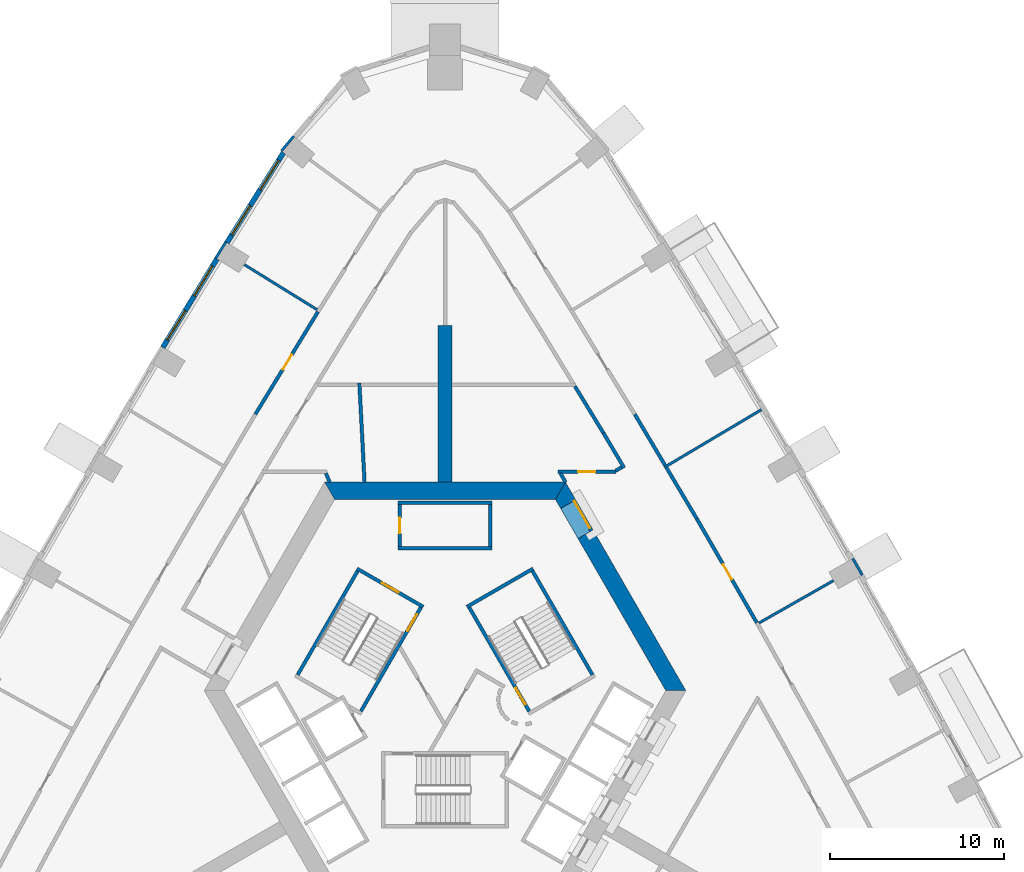
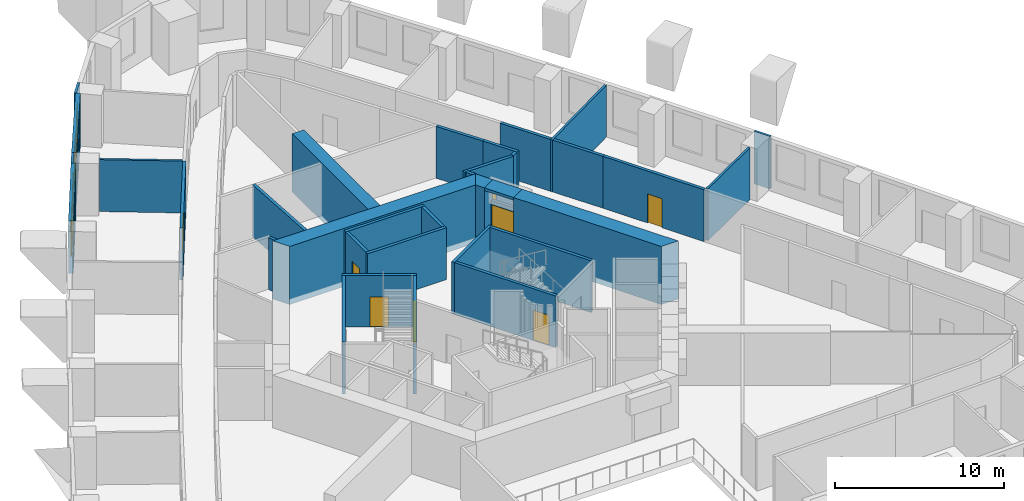
# One storey, part 8 of 14: 35 walls, 8 doors, 4 windows, 12 openings.
"""IFC4 building model written with IfcOpenShell, lengths in metres."""

from ifc_helpers import new_model, si_unit, direction, frame, frame_2d, origin, place, context, subcontext, project, spatial, polyline, rectangle, outline, extrude, material, layer, layer_set, type_object, element, fill, save


model = new_model("IFC4")

# Units and contexts
model_context = context("Model", 3, precision=1e-05, world=origin(), true_north=direction((0.0, 1.0)))
body_context = subcontext(model_context, "Body", "Model", "MODEL_VIEW")
ifc_project = project(units=[si_unit("LENGTHUNIT", "METRE"), si_unit("AREAUNIT", "SQUARE_METRE"), si_unit("VOLUMEUNIT", "CUBIC_METRE"), si_unit("PLANEANGLEUNIT", "RADIAN"), si_unit("MASSUNIT", "GRAM", prefix="KILO")], contexts=[model_context])

# Site, building, storey
site_placement = place(None, origin())
site = spatial("IfcSite", under=ifc_project, at=site_placement, CompositionType="ELEMENT")
building_placement = place(site_placement, origin())
building = spatial("IfcBuilding", under=site, at=building_placement, Name="Entoto Arch Interchange Tower", CompositionType="ELEMENT")
storey_placement = place(building_placement, frame((0.0, 0.0, 176.0)))
storey = spatial("IfcBuildingStorey", under=building, at=storey_placement, Name="L39", CompositionType="ELEMENT", Elevation=176.0)

# Wall
ifc_material_1 = material(Name="Concrete C50/60", Category="concrete")
ifc_layer_1 = layer(ifc_material_1, 0.800048828125)
ifc_layer_set_1 = layer_set([ifc_layer_1], Name="Concrete C50/60")
wall_type_1 = type_object("IfcWallType", Name="Buttress wall 800 C50/60", PredefinedType="SHEAR", material=ifc_layer_set_1)
wall_1_placement = place(storey_placement, frame((0.0, 14.5, -0.39990234375), z_axis=(0.0, 0.0, 1.0), x_axis=(0.0, 1.0, 0.0)))
element("IfcWall", 1, at=wall_1_placement, inside=storey, type_object=wall_type_1, Name="Buttress wall N L39", PredefinedType="SHEAR", context=body_context, shape_type="SweptSolid", body=[
    extrude(rectangle(XDim=9.0, YDim=0.800048828125, at=frame_2d((4.5, 0.0))), origin(), (0.0, 0.0, 1.0), 4.199951171875),
])

# Wall, opening, door
ifc_material_2 = material(Name="Reinforced concrete C40/50", Category="concrete")
ifc_layer_2 = layer(ifc_material_2, 0.199951171875)
ifc_layer_set_2 = layer_set([ifc_layer_2], Name="Reinforced concrete C40/50")
wall_type_2 = type_object("IfcWallType", Name="CORE GAP INFILL WALL", PredefinedType="PARTITIONING", material=ifc_layer_set_2)
wall_2_placement = place(storey_placement, frame((8.429931640625, 11.697998046875, 0.0), z_axis=(0.0, 0.0, 1.0), x_axis=(-0.50002537861, 0.866010750942, 0.0)))
wall_2 = element("IfcWall", 2, at=wall_2_placement, inside=storey, type_object=wall_type_2, Name="wall:L39:gap2", PredefinedType="PARTITIONING", context=body_context, shape_type="SweptSolid", body=[
    extrude(rectangle(XDim=2.0, YDim=0.199951171875, at=frame_2d((1.0, 0.0))), origin(), (0.0, 0.0, 1.0), 2.39990234375),
])
opening_1_placement = place(wall_2_placement, frame((0.18994140625, 0.0, 0.0)))
opening_1 = element("IfcOpeningElement", 3, at=opening_1_placement, cuts=wall_2, Name="Opening L39-D92", PredefinedType="OPENING", context=body_context, shape_type="SweptSolid", body=[
    extrude(rectangle(XDim=1.800048828125, YDim=2.10009765625, at=frame_2d((0.89990234375, 1.050048828125))), frame((0.0, 0.10986328125, 0.0), z_axis=(0.0, -1.0, 0.0), x_axis=(1.0, 0.0, 0.0)), (0.0, 0.0, 1.0), 0.219970703125),
])
ifc_material_3 = material(Name="Fire-rated Steel S235 door and frame", Category="steel")
door_type_1 = type_object("IfcDoorType", Name="DOOR FD-18 1800x2100", OperationType="DOUBLE_DOOR_SINGLE_SWING", PredefinedType="DOOR", material=ifc_material_3)
door_1_placement = place(opening_1_placement, origin())
door_1 = element("IfcDoor", 4, at=door_1_placement, inside=storey, type_object=door_type_1, Name="door:L39:gap2", OperationType="DOUBLE_DOOR_SINGLE_SWING", OverallHeight=2.10009765625, OverallWidth=1.800048828125, PredefinedType="DOOR", context=body_context, shape_type="SweptSolid", body=[
    extrude(rectangle(XDim=1.800048828125, YDim=2.10009765625, at=frame_2d((0.89990234375, 1.050048828125))), frame((0.0, 0.02490234375, 0.0), z_axis=(0.0, -1.0, 0.0), x_axis=(1.0, 0.0, 0.0)), (0.0, 0.0, 1.0), 0.050048828125),
])
fill(opening_1, door_1)

# Walls
ifc_layer_3 = layer(ifc_material_1, 1.0)
ifc_layer_set_3 = layer_set([ifc_layer_3], Name="Concrete C50/60")
wall_type_3 = type_object("IfcWallType", Name="Core wall 1000 C50/60", PredefinedType="SHEAR", material=ifc_layer_set_3)
wall_3_placement = place(storey_placement, frame((0.0, 0.0, -0.39990234375)))
element("IfcWall", 5, at=wall_3_placement, inside=storey, type_object=wall_type_3, Name="Core wall NE L39", PredefinedType="SHEAR", context=body_context, shape_type="SweptSolid", body=[
    extrude(outline(polyline([(8.51708984375, 11.748046875), (7.65087890625, 11.248046875), (12.701904296875, 2.5), (13.85595703125, 2.5), (8.51708984375, 11.748046875)])), origin(), (0.0, 0.0, 1.0), 4.199951171875),
])
wall_4_placement = place(storey_placement, frame((0.0, 0.0, -0.39990234375)))
element("IfcWall", 6, at=wall_4_placement, inside=storey, type_object=wall_type_3, Name="Core wall NE L39", PredefinedType="SHEAR", context=body_context, shape_type="SweptSolid", body=[
    extrude(outline(polyline([(6.65087890625, 12.97998046875), (7.51708984375, 13.47998046875), (6.927978515625, 14.5), (6.35107421875, 13.5), (6.65087890625, 12.97998046875)])), origin(), (0.0, 0.0, 1.0), 4.199951171875),
])
wall_5_placement = place(storey_placement, frame((0.0, 0.0, 3.60009765625)))
element("IfcWall", 7, at=wall_5_placement, inside=storey, type_object=wall_type_3, Name="Core wall lintel NE L39", PredefinedType="SHEAR", context=body_context, shape_type="SweptSolid", body=[
    extrude(outline(polyline([(7.51708984375, 13.47998046875), (6.65087890625, 12.97998046875), (7.65087890625, 11.248046875), (8.51708984375, 11.748046875), (7.51708984375, 13.47998046875)])), origin(), (0.0, 0.0, 1.0), 0.199951171875),
])
wall_6_placement = place(storey_placement, frame((0.0, 0.0, -0.39990234375)))
element("IfcWall", 8, at=wall_6_placement, inside=storey, type_object=wall_type_3, Name="Core wall N L39", PredefinedType="SHEAR", context=body_context, shape_type="SweptSolid", body=[
    extrude(outline(polyline([(6.927978515625, 14.5), (-6.927978515625, 14.5), (-6.35107421875, 13.5), (6.35107421875, 13.5), (6.927978515625, 14.5)])), origin(), (0.0, 0.0, 1.0), 4.199951171875),
])
ifc_material_4 = material(Name="Gypsum board partition on steel studs", Category="steel")
ifc_layer_4 = layer(ifc_material_4, 0.14990234375)
ifc_layer_set_4 = layer_set([ifc_layer_4], Name="Gypsum board partition on steel studs")
wall_type_4 = type_object("IfcWallType", Name="PARTITION 150", PredefinedType="PARTITIONING", material=ifc_layer_set_4)
wall_7_placement = place(storey_placement, frame((18.06201171875, 6.39501953125, 0.0), z_axis=(0.0, 0.0, 1.0), x_axis=(0.869113540562, 0.494612629854, 0.0)))
element("IfcWall", 9, at=wall_7_placement, inside=storey, type_object=wall_type_4, Name="wall:L39:p116", PredefinedType="PARTITIONING", context=body_context, shape_type="SweptSolid", body=[
    extrude(rectangle(XDim=4.92919921875, YDim=0.14990234375, at=frame_2d((2.464599609375, 0.0))), origin(), (0.0, 0.0, 1.0), 3.75),
])
wall_8_placement = place(storey_placement, frame((12.613037109375, 15.347900390625, 0.0), z_axis=(0.0, 0.0, 1.0), x_axis=(0.85976815765, 0.510684555368, 0.0)))
element("IfcWall", 10, at=wall_8_placement, inside=storey, type_object=wall_type_4, Name="wall:L39:p117", PredefinedType="PARTITIONING", context=body_context, shape_type="SweptSolid", body=[
    extrude(rectangle(XDim=6.499267578125, YDim=0.14990234375, at=frame_2d((3.24951171875, 0.0))), origin(), (0.0, 0.0, 1.0), 3.75),
])
wall_9_placement = place(storey_placement, frame((-7.35791015625, 24.41796875, 0.0), z_axis=(0.0, 0.0, 1.0), x_axis=(-0.850136365231, 0.526562589358, 0.0)))
element("IfcWall", 11, at=wall_9_placement, inside=storey, type_object=wall_type_4, Name="wall:L39:p121", PredefinedType="PARTITIONING", context=body_context, shape_type="SweptSolid", body=[
    extrude(rectangle(XDim=4.929931640625, YDim=0.14990234375, at=frame_2d((2.46484375, 0.0))), origin(), (0.0, 0.0, 1.0), 3.75),
])
ifc_layer_5 = layer(ifc_material_4, 0.199951171875)
ifc_layer_set_5 = layer_set([ifc_layer_5], Name="Gypsum board partition on steel studs")
wall_type_5 = type_object("IfcWallType", Name="PARTITION 200", PredefinedType="PARTITIONING", material=ifc_layer_set_5)
wall_10_placement = place(storey_placement, frame((6.93701171875, 14.488037109375, 0.0), z_axis=(0.0, 0.0, 1.0), x_axis=(-0.499908430952, 0.866078264744, 0.0)))
element("IfcWall", 12, at=wall_10_placement, inside=storey, type_object=wall_type_5, Name="wall:L39:p005", PredefinedType="PARTITIONING", context=body_context, shape_type="SweptSolid", body=[
    extrude(rectangle(XDim=0.60595703125, YDim=0.199951171875, at=frame_2d((0.302978515625, 0.0))), origin(), (0.0, 0.0, 1.0), 3.75),
])

# Wall, opening, door
wall_11_placement = place(storey_placement, frame((6.48388671875, 15.10009765625, 0.0), z_axis=(0.0, 0.0, 1.0), x_axis=(1.0, 0.0, 0.0)))
wall_11 = element("IfcWall", 13, at=wall_11_placement, inside=storey, type_object=wall_type_5, Name="wall:L39:p006", PredefinedType="PARTITIONING", context=body_context, shape_type="SweptSolid", body=[
    extrude(rectangle(XDim=3.339111328125, YDim=0.199951171875, at=frame_2d((1.66943359375, 0.0))), origin(), (0.0, 0.0, 1.0), 3.75),
])
opening_2_placement = place(wall_11_placement, frame((1.1689453125, 0.0, 0.0)))
opening_2 = element("IfcOpeningElement", 14, at=opening_2_placement, cuts=wall_11, Name="Opening L39-D23", PredefinedType="OPENING", context=body_context, shape_type="SweptSolid", body=[
    extrude(rectangle(XDim=1.0, YDim=2.10009765625, at=frame_2d((0.5, 1.050048828125))), frame((0.0, 0.10986328125, 0.0), z_axis=(0.0, -1.0, 0.0), x_axis=(1.0, 0.0, 0.0)), (0.0, 0.0, 1.0), 0.219970703125),
])
ifc_material_5 = material(Name="Timber door leaf in Steel S235 frame", Category="steel")
door_type_2 = type_object("IfcDoorType", Name="DOOR DS-10 1000x2100", OperationType="SINGLE_SWING_LEFT", PredefinedType="DOOR", material=ifc_material_5)
door_2_placement = place(opening_2_placement, origin())
door_2 = element("IfcDoor", 15, at=door_2_placement, inside=storey, type_object=door_type_2, Name="door:L39:23", OperationType="SINGLE_SWING_LEFT", OverallHeight=2.10009765625, OverallWidth=1.0, PredefinedType="DOOR", context=body_context, shape_type="SweptSolid", body=[
    extrude(rectangle(XDim=1.0, YDim=2.10009765625, at=frame_2d((0.5, 1.050048828125))), frame((0.0, 0.02490234375, 0.0), z_axis=(0.0, -1.0, 0.0), x_axis=(1.0, 0.0, 0.0)), (0.0, 0.0, 1.0), 0.050048828125),
])
fill(opening_2, door_2)

# Walls
wall_12_placement = place(storey_placement, frame((9.81005859375, 15.14990234375, 0.0), z_axis=(0.0, 0.0, 1.0), x_axis=(0.865888002441, 0.500237910626, 0.0)))
element("IfcWall", 16, at=wall_12_placement, inside=storey, type_object=wall_type_5, Name="wall:L39:p007", PredefinedType="PARTITIONING", context=body_context, shape_type="SweptSolid", body=[
    extrude(rectangle(XDim=0.409912109375, YDim=0.199951171875, at=frame_2d((0.205078125, 0.0))), origin(), (0.0, 0.0, 1.0), 3.75),
])
wall_13_placement = place(storey_placement, frame((10.302978515625, 15.319091796875, 0.0), z_axis=(0.0, 0.0, 1.0), x_axis=(-0.510383520765, 0.859946894716, 0.0)))
element("IfcWall", 17, at=wall_13_placement, inside=storey, type_object=wall_type_5, Name="wall:L39:p008", PredefinedType="PARTITIONING", context=body_context, shape_type="SweptSolid", body=[
    extrude(rectangle(XDim=2.32568359375, YDim=0.199951171875, at=frame_2d((1.162841796875, 0.0))), origin(), (0.0, 0.0, 1.0), 3.75),
])
wall_14_placement = place(storey_placement, frame((9.115966796875, 17.319091796875, 0.0), z_axis=(0.0, 0.0, 1.0), x_axis=(-0.521343721083, 0.853346778565, 0.0)))
element("IfcWall", 18, at=wall_14_placement, inside=storey, type_object=wall_type_5, Name="wall:L39:p009", PredefinedType="PARTITIONING", context=body_context, shape_type="SweptSolid", body=[
    extrude(rectangle(XDim=3.1591796875, YDim=0.199951171875, at=frame_2d((1.57958984375, 0.0))), origin(), (0.0, 0.0, 1.0), 3.75),
])
wall_15_placement = place(storey_placement, frame((12.737060546875, 15.333984375, 0.0), z_axis=(0.0, 0.0, 1.0), x_axis=(0.51050904729, -0.859872381598, 0.0)))
element("IfcWall", 19, at=wall_15_placement, inside=storey, type_object=wall_type_5, Name="wall:L39:p053", PredefinedType="PARTITIONING", context=body_context, shape_type="SweptSolid", body=[
    extrude(rectangle(XDim=3.41796875, YDim=0.199951171875, at=frame_2d((1.708984375, 0.0))), origin(), (0.0, 0.0, 1.0), 3.75),
])

# Wall, opening, door
wall_16_placement = place(storey_placement, frame((14.48193359375, 12.39501953125, 0.0), z_axis=(0.0, 0.0, 1.0), x_axis=(0.499953847993, -0.866052048018, 0.0)))
wall_16 = element("IfcWall", 20, at=wall_16_placement, inside=storey, type_object=wall_type_5, Name="wall:L39:p054", PredefinedType="PARTITIONING", context=body_context, shape_type="SweptSolid", body=[
    extrude(rectangle(XDim=6.910888671875, YDim=0.199951171875, at=frame_2d((3.45556640625, 0.0))), origin(), (0.0, 0.0, 1.0), 3.75),
])
opening_3_placement = place(wall_16_placement, frame((3.030029296875, 0.0, 0.0)))
opening_3 = element("IfcOpeningElement", 21, at=opening_3_placement, cuts=wall_16, Name="Opening L39-D06", PredefinedType="OPENING", context=body_context, shape_type="SweptSolid", body=[
    extrude(rectangle(XDim=1.0, YDim=2.10009765625, at=frame_2d((0.5, 1.050048828125))), frame((0.0, 0.10986328125, 0.0), z_axis=(0.0, -1.0, 0.0), x_axis=(1.0, 0.0, 0.0)), (0.0, 0.0, 1.0), 0.219970703125),
])
door_3_placement = place(opening_3_placement, origin())
door_3 = element("IfcDoor", 22, at=door_3_placement, inside=storey, type_object=door_type_2, Name="door:L39:06", OperationType="SINGLE_SWING_LEFT", OverallHeight=2.10009765625, OverallWidth=1.0, PredefinedType="DOOR", context=body_context, shape_type="SweptSolid", body=[
    extrude(rectangle(XDim=1.0, YDim=2.10009765625, at=frame_2d((0.5, 1.050048828125))), frame((0.0, 0.02490234375, 0.0), z_axis=(0.0, -1.0, 0.0), x_axis=(1.0, 0.0, 0.0)), (0.0, 0.0, 1.0), 0.050048828125),
])
fill(opening_3, door_3)

# Wall
wall_17_placement = place(storey_placement, frame((10.9150390625, 18.402099609375, 0.0), z_axis=(0.0, 0.0, 1.0), x_axis=(0.510477693133, -0.85989099589, 0.0)))
element("IfcWall", 23, at=wall_17_placement, inside=storey, type_object=wall_type_5, Name="wall:L39:p056", PredefinedType="PARTITIONING", context=body_context, shape_type="SweptSolid", body=[
    extrude(rectangle(XDim=3.418212890625, YDim=0.199951171875, at=frame_2d((1.708984375, 0.0))), origin(), (0.0, 0.0, 1.0), 3.75),
])

# Wall, opening, door
wall_18_placement = place(storey_placement, frame((-10.9150390625, 18.402099609375, 0.0), z_axis=(0.0, 0.0, 1.0), x_axis=(0.521189997761, 0.853440675287, 0.0)))
wall_18 = element("IfcWall", 24, at=wall_18_placement, inside=storey, type_object=wall_type_5, Name="wall:L39:p064", PredefinedType="PARTITIONING", context=body_context, shape_type="SweptSolid", body=[
    extrude(rectangle(XDim=6.9130859375, YDim=0.199951171875, at=frame_2d((3.45654296875, 0.0))), origin(), (0.0, 0.0, 1.0), 3.75),
])
opening_4_placement = place(wall_18_placement, frame((3.031005859375, 0.0, 0.0)))
opening_4 = element("IfcOpeningElement", 25, at=opening_4_placement, cuts=wall_18, Name="Opening L39-D11", PredefinedType="OPENING", context=body_context, shape_type="SweptSolid", body=[
    extrude(rectangle(XDim=1.0, YDim=2.10009765625, at=frame_2d((0.5, 1.050048828125))), frame((0.0, 0.10986328125, 0.0), z_axis=(0.0, -1.0, 0.0), x_axis=(1.0, 0.0, 0.0)), (0.0, 0.0, 1.0), 0.219970703125),
])
door_4_placement = place(opening_4_placement, origin())
door_4 = element("IfcDoor", 26, at=door_4_placement, inside=storey, type_object=door_type_2, Name="door:L39:11", OperationType="SINGLE_SWING_RIGHT", OverallHeight=2.10009765625, OverallWidth=1.0, PredefinedType="DOOR", context=body_context, shape_type="SweptSolid", body=[
    extrude(rectangle(XDim=1.0, YDim=2.10009765625, at=frame_2d((0.5, 1.050048828125))), frame((0.0, 0.02490234375, 0.0), z_axis=(0.0, -1.0, 0.0), x_axis=(1.0, 0.0, 0.0)), (0.0, 0.0, 1.0), 0.050048828125),
])
fill(opening_4, door_4)

wall_19_placement = place(storey_placement, frame((-2.60009765625, 10.800048828125, 0.0), z_axis=(0.0, 0.0, 1.0), x_axis=(0.0, 1.0, 0.0)))
wall_19 = element("IfcWall", 27, at=wall_19_placement, inside=storey, type_object=wall_type_5, Name="wall:L39:p078", PredefinedType="PARTITIONING", context=body_context, shape_type="SweptSolid", body=[
    extrude(rectangle(XDim=2.39990234375, YDim=0.199951171875, at=frame_2d((1.199951171875, 0.0))), origin(), (0.0, 0.0, 1.0), 3.75),
])
opening_5_placement = place(wall_19_placement, frame((0.75, 0.0, 0.0)))
opening_5 = element("IfcOpeningElement", 28, at=opening_5_placement, cuts=wall_19, Name="Opening L39-D32", PredefinedType="OPENING", context=body_context, shape_type="SweptSolid", body=[
    extrude(rectangle(XDim=0.89990234375, YDim=2.10009765625, at=frame_2d((0.449951171875, 1.050048828125))), frame((0.0, 0.10986328125, 0.0), z_axis=(0.0, -1.0, 0.0), x_axis=(1.0, 0.0, 0.0)), (0.0, 0.0, 1.0), 0.219970703125),
])
door_type_3 = type_object("IfcDoorType", Name="DOOR DS-09 900x2100", OperationType="SINGLE_SWING_LEFT", PredefinedType="DOOR", material=ifc_material_5)
door_5_placement = place(opening_5_placement, origin())
door_5 = element("IfcDoor", 29, at=door_5_placement, inside=storey, type_object=door_type_3, Name="door:L39:32", OperationType="SINGLE_SWING_LEFT", OverallHeight=2.10009765625, OverallWidth=0.89990234375, PredefinedType="DOOR", context=body_context, shape_type="SweptSolid", body=[
    extrude(rectangle(XDim=0.89990234375, YDim=2.10009765625, at=frame_2d((0.449951171875, 1.050048828125))), frame((0.0, 0.02490234375, 0.0), z_axis=(0.0, -1.0, 0.0), x_axis=(1.0, 0.0, 0.0)), (0.0, 0.0, 1.0), 0.050048828125),
])
fill(opening_5, door_5)

# Walls
wall_20_placement = place(storey_placement, frame((-2.699951171875, 13.300048828125, 0.0), z_axis=(0.0, 0.0, 1.0), x_axis=(1.0, 0.0, 0.0)))
element("IfcWall", 30, at=wall_20_placement, inside=storey, type_object=wall_type_5, Name="wall:L39:p079", PredefinedType="PARTITIONING", context=body_context, shape_type="SweptSolid", body=[
    extrude(rectangle(XDim=5.39990234375, YDim=0.199951171875, at=frame_2d((2.699951171875, 0.0))), origin(), (0.0, 0.0, 1.0), 3.75),
])
wall_21_placement = place(storey_placement, frame((2.60009765625, 13.199951171875, 0.0), z_axis=(0.0, 0.0, 1.0), x_axis=(0.0, -1.0, 0.0)))
element("IfcWall", 31, at=wall_21_placement, inside=storey, type_object=wall_type_5, Name="wall:L39:p080", PredefinedType="PARTITIONING", context=body_context, shape_type="SweptSolid", body=[
    extrude(rectangle(XDim=2.39990234375, YDim=0.199951171875, at=frame_2d((1.199951171875, 0.0))), origin(), (0.0, 0.0, 1.0), 3.75),
])
wall_22_placement = place(storey_placement, frame((2.699951171875, 10.699951171875, 0.0), z_axis=(0.0, 0.0, 1.0), x_axis=(-1.0, 0.0, 0.0)))
element("IfcWall", 32, at=wall_22_placement, inside=storey, type_object=wall_type_5, Name="wall:L39:p081", PredefinedType="PARTITIONING", context=body_context, shape_type="SweptSolid", body=[
    extrude(rectangle(XDim=5.39990234375, YDim=0.199951171875, at=frame_2d((2.699951171875, 0.0))), origin(), (0.0, 0.0, 1.0), 3.75),
])
wall_23_placement = place(storey_placement, frame((-6.638916015625, 14.5, 0.0), z_axis=(0.0, 0.0, 1.0), x_axis=(-0.388353930402, 0.921510295516, 0.0)))
element("IfcWall", 33, at=wall_23_placement, inside=storey, type_object=wall_type_5, Name="wall:L39:p084", PredefinedType="PARTITIONING", context=body_context, shape_type="SweptSolid", body=[
    extrude(rectangle(XDim=0.55126953125, YDim=0.199951171875, at=frame_2d((0.275634765625, 0.0))), origin(), (0.0, 0.0, 1.0), 3.75),
])
wall_24_placement = place(storey_placement, frame((-4.632080078125, 14.488037109375, 0.0), z_axis=(0.0, 0.0, 1.0), x_axis=(-0.052074913706, 0.998643181203, 0.0)))
element("IfcWall", 34, at=wall_24_placement, inside=storey, type_object=wall_type_5, Name="wall:L39:p103", PredefinedType="PARTITIONING", context=body_context, shape_type="SweptSolid", body=[
    extrude(rectangle(XDim=5.7197265625, YDim=0.199951171875, at=frame_2d((2.85986328125, 0.0))), origin(), (0.0, 0.0, 1.0), 3.75),
])
ifc_material_6 = material(Name="Concrete C40/50", Category="concrete")
ifc_layer_6 = layer(ifc_material_6, 0.199951171875)
ifc_layer_set_6 = layer_set([ifc_layer_6], Name="Concrete C40/50")
wall_type_6 = type_object("IfcWallType", Name="STAIR ENCLOSURE WALL 200", PredefinedType="STANDARD", material=ifc_layer_set_6)
wall_25_placement = place(storey_placement, frame((1.256103515625, 7.323974609375, 0.0), z_axis=(0.0, 0.0, 1.0), x_axis=(0.866046073146, 0.499964197906, 0.0)))
element("IfcWall", 35, at=wall_25_placement, inside=storey, type_object=wall_type_6, Name="Stair wall ST-NE far", PredefinedType="STANDARD", context=body_context, shape_type="SweptSolid", body=[
    extrude(rectangle(XDim=4.400146484375, YDim=0.199951171875, at=frame_2d((2.2001953125, 0.0))), origin(), (0.0, 0.0, 1.0), 3.75),
])

# Wall, opening, door
wall_26_placement = place(storey_placement, frame((4.843017578125, 1.31201171875, 0.0), z_axis=(0.0, 0.0, 1.0), x_axis=(-0.499963383562, 0.866046543262, 0.0)))
wall_26 = element("IfcWall", 36, at=wall_26_placement, inside=storey, type_object=wall_type_6, Name="Stair wall ST-NE hall", PredefinedType="STANDARD", context=body_context, shape_type="SweptSolid", body=[
    extrude(rectangle(XDim=6.900390625, YDim=0.199951171875, at=frame_2d((3.4501953125, 0.0))), origin(), (0.0, 0.0, 1.0), 3.75),
])
opening_6_placement = place(wall_26_placement, frame((0.449951171875, 0.0, 0.0)))
opening_6 = element("IfcOpeningElement", 37, at=opening_6_placement, cuts=wall_26, Name="Opening SD-ST-NE-L39", PredefinedType="OPENING", context=body_context, shape_type="SweptSolid", body=[
    extrude(rectangle(XDim=1.10009765625, YDim=2.199951171875, at=frame_2d((0.550048828125, 1.10009765625))), frame((0.0, 0.10986328125, 0.0), z_axis=(0.0, -1.0, 0.0), x_axis=(1.0, 0.0, 0.0)), (0.0, 0.0, 1.0), 0.219970703125),
])
ifc_material_7 = material(Name="Steel S235", Category="steel")
door_type_4 = type_object("IfcDoorType", Name="STAIR DOOR SD1 1100x2200", OperationType="SINGLE_SWING_LEFT", PredefinedType="DOOR", material=ifc_material_7)
door_6_placement = place(opening_6_placement, origin())
door_6 = element("IfcDoor", 38, at=door_6_placement, inside=storey, type_object=door_type_4, Name="Stair door ST-NE L39", OperationType="SINGLE_SWING_LEFT", OverallHeight=2.199951171875, OverallWidth=1.10009765625, PredefinedType="DOOR", context=body_context, shape_type="SweptSolid", body=[
    extrude(rectangle(XDim=1.10009765625, YDim=2.199951171875, at=frame_2d((0.550048828125, 1.10009765625))), frame((0.0, 0.02490234375, 0.0), z_axis=(0.0, -1.0, 0.0), x_axis=(1.0, 0.0, 0.0)), (0.0, 0.0, 1.0), 0.050048828125),
])
fill(opening_6, door_6)

# Wall
wall_27_placement = place(storey_placement, frame((8.47998046875, 3.412109375, 0.0), z_axis=(0.0, 0.0, 1.0), x_axis=(-0.499978703459, 0.866037698999, 0.0)))
element("IfcWall", 39, at=wall_27_placement, inside=storey, type_object=wall_type_6, Name="Stair wall ST-NE back", PredefinedType="STANDARD", context=body_context, shape_type="SweptSolid", body=[
    extrude(rectangle(XDim=6.900146484375, YDim=0.199951171875, at=frame_2d((3.4501953125, 0.0))), origin(), (0.0, 0.0, 1.0), 3.75),
])

# Wall, opening, door
wall_28_placement = place(storey_placement, frame((-1.256103515625, 7.323974609375, 0.0), z_axis=(0.0, 0.0, 1.0), x_axis=(-0.866046073146, 0.499964197906, 0.0)))
wall_28 = element("IfcWall", 40, at=wall_28_placement, inside=storey, type_object=wall_type_6, Name="Stair wall ST-NW near", PredefinedType="STANDARD", context=body_context, shape_type="SweptSolid", body=[
    extrude(rectangle(XDim=4.400146484375, YDim=0.199951171875, at=frame_2d((2.2001953125, 0.0))), origin(), (0.0, 0.0, 1.0), 3.75),
])
opening_7_placement = place(wall_28_placement, frame((1.64990234375, 0.0, 0.0)))
opening_7 = element("IfcOpeningElement", 41, at=opening_7_placement, cuts=wall_28, Name="Opening SD-ST-NW-L39-E", PredefinedType="OPENING", context=body_context, shape_type="SweptSolid", body=[
    extrude(rectangle(XDim=1.10009765625, YDim=2.199951171875, at=frame_2d((0.550048828125, 1.10009765625))), frame((0.0, 0.10986328125, 0.0), z_axis=(0.0, -1.0, 0.0), x_axis=(1.0, 0.0, 0.0)), (0.0, 0.0, 1.0), 0.219970703125),
])
door_7_placement = place(opening_7_placement, origin())
door_7 = element("IfcDoor", 42, at=door_7_placement, inside=storey, type_object=door_type_4, Name="Stair door ST-NW L39 end", OperationType="SINGLE_SWING_LEFT", OverallHeight=2.199951171875, OverallWidth=1.10009765625, PredefinedType="DOOR", context=body_context, shape_type="SweptSolid", body=[
    extrude(rectangle(XDim=1.10009765625, YDim=2.199951171875, at=frame_2d((0.550048828125, 1.10009765625))), frame((0.0, 0.02490234375, 0.0), z_axis=(0.0, -1.0, 0.0), x_axis=(1.0, 0.0, 0.0)), (0.0, 0.0, 1.0), 0.050048828125),
])
fill(opening_7, door_7)

wall_29_placement = place(storey_placement, frame((-1.39306640625, 7.2880859375, 0.0), z_axis=(0.0, 0.0, 1.0), x_axis=(-0.499963383562, -0.866046543262, 0.0)))
wall_29 = element("IfcWall", 43, at=wall_29_placement, inside=storey, type_object=wall_type_6, Name="Stair wall ST-NW hall", PredefinedType="STANDARD", context=body_context, shape_type="SweptSolid", body=[
    extrude(rectangle(XDim=6.900390625, YDim=0.199951171875, at=frame_2d((3.4501953125, 0.0))), origin(), (0.0, 0.0, 1.0), 3.75),
])
opening_8_placement = place(wall_29_placement, frame((0.449951171875, 0.0, 0.0)))
opening_8 = element("IfcOpeningElement", 44, at=opening_8_placement, cuts=wall_29, Name="Opening SD-ST-NW-L39", PredefinedType="OPENING", context=body_context, shape_type="SweptSolid", body=[
    extrude(rectangle(XDim=1.10009765625, YDim=2.199951171875, at=frame_2d((0.550048828125, 1.10009765625))), frame((0.0, 0.10986328125, 0.0), z_axis=(0.0, -1.0, 0.0), x_axis=(1.0, 0.0, 0.0)), (0.0, 0.0, 1.0), 0.219970703125),
])
door_8_placement = place(opening_8_placement, origin())
door_8 = element("IfcDoor", 45, at=door_8_placement, inside=storey, type_object=door_type_4, Name="Stair door ST-NW L39", OperationType="SINGLE_SWING_LEFT", OverallHeight=2.199951171875, OverallWidth=1.10009765625, PredefinedType="DOOR", context=body_context, shape_type="SweptSolid", body=[
    extrude(rectangle(XDim=1.10009765625, YDim=2.199951171875, at=frame_2d((0.550048828125, 1.10009765625))), frame((0.0, 0.02490234375, 0.0), z_axis=(0.0, -1.0, 0.0), x_axis=(1.0, 0.0, 0.0)), (0.0, 0.0, 1.0), 0.050048828125),
])
fill(opening_8, door_8)

# Wall
wall_30_placement = place(storey_placement, frame((-5.030029296875, 9.387939453125, 0.0), z_axis=(0.0, 0.0, 1.0), x_axis=(-0.499978703459, -0.866037698999, 0.0)))
element("IfcWall", 46, at=wall_30_placement, inside=storey, type_object=wall_type_6, Name="Stair wall ST-NW back", PredefinedType="STANDARD", context=body_context, shape_type="SweptSolid", body=[
    extrude(rectangle(XDim=6.900146484375, YDim=0.199951171875, at=frame_2d((3.4501953125, 0.0))), origin(), (0.0, 0.0, 1.0), 3.75),
])

# Wall, openings, windows
ifc_material_8 = material(Name="Welded tuff (ignimbrite) cladding, warm buff", Category="masonry")
ifc_layer_7 = layer(ifc_material_8, 0.300048828125)
ifc_layer_set_7 = layer_set([ifc_layer_7], Name="Welded tuff (ignimbrite) cladding, warm buff")
wall_type_7 = type_object("IfcWallType", Name="STONE INFILL WALL 300", PredefinedType="STANDARD", material=ifc_layer_set_7)
wall_31_placement = place(storey_placement, frame((-9.2958984375, 33.4609375, 0.0), z_axis=(0.0, 0.0, 1.0), x_axis=(-0.531816047834, -0.846859900613, 0.0)))
wall_31 = element("IfcWall", 47, at=wall_31_placement, inside=storey, type_object=wall_type_7, Name="Facade wall NW-01 L39", PredefinedType="STANDARD", context=body_context, shape_type="SweptSolid", body=[
    extrude(rectangle(XDim=6.118896484375, YDim=0.300048828125, at=frame_2d((3.0595703125, 0.0))), origin(), (0.0, 0.0, 1.0), 3.800048828125),
])
opening_9_placement = place(wall_31_placement, frame((0.530029296875, 0.0, 0.89990234375)))
opening_9 = element("IfcOpeningElement", 48, at=opening_9_placement, cuts=wall_31, Name="Opening WO-C", PredefinedType="OPENING", context=body_context, shape_type="SweptSolid", body=[
    extrude(rectangle(XDim=2.0, YDim=2.60009765625, at=frame_2d((1.0, 1.300048828125))), frame((0.0, 0.16015625, 0.0), z_axis=(0.0, -1.0, 0.0), x_axis=(1.0, 0.0, 0.0)), (0.0, 0.0, 1.0), 0.320068359375),
])
opening_10_placement = place(wall_31_placement, frame((3.589111328125, 0.0, 0.89990234375)))
opening_10 = element("IfcOpeningElement", 49, at=opening_10_placement, cuts=wall_31, Name="Opening WO-C", PredefinedType="OPENING", context=body_context, shape_type="SweptSolid", body=[
    extrude(rectangle(XDim=2.0, YDim=2.60009765625, at=frame_2d((1.0, 1.300048828125))), frame((0.0, 0.16015625, 0.0), z_axis=(0.0, -1.0, 0.0), x_axis=(1.0, 0.0, 0.0)), (0.0, 0.0, 1.0), 0.320068359375),
])
ifc_material_9 = material(Name="Clear glass, low-e double glazed", Category="glass")
window_type = type_object("IfcWindowType", Name="WINDOW WO-C 2000x2600", PartitioningType="DOUBLE_PANEL_VERTICAL", PredefinedType="WINDOW", material=ifc_material_9)
window_1_placement = place(opening_9_placement, origin())
window_1 = element("IfcWindow", 50, at=window_1_placement, inside=storey, type_object=window_type, Name="Window WO-C NW-01 L39", OverallHeight=2.60009765625, OverallWidth=2.0, PartitioningType="SINGLE_PANEL", PredefinedType="WINDOW", context=body_context, shape_type="SweptSolid", body=[
    extrude(rectangle(XDim=2.0, YDim=2.60009765625, at=frame_2d((1.0, 1.300048828125))), frame((0.0, 0.030029296875, 0.0), z_axis=(0.0, -1.0, 0.0), x_axis=(1.0, 0.0, 0.0)), (0.0, 0.0, 1.0), 0.06005859375),
])
fill(opening_9, window_1)
window_2_placement = place(opening_10_placement, origin())
window_2 = element("IfcWindow", 51, at=window_2_placement, inside=storey, type_object=window_type, Name="Window WO-C NW-01 L39", OverallHeight=2.60009765625, OverallWidth=2.0, PartitioningType="SINGLE_PANEL", PredefinedType="WINDOW", context=body_context, shape_type="SweptSolid", body=[
    extrude(rectangle(XDim=2.0, YDim=2.60009765625, at=frame_2d((1.0, 1.300048828125))), frame((0.0, 0.030029296875, 0.0), z_axis=(0.0, -1.0, 0.0), x_axis=(1.0, 0.0, 0.0)), (0.0, 0.0, 1.0), 0.06005859375),
])
fill(opening_10, window_2)

wall_32_placement = place(storey_placement, frame((-13.1279296875, 27.344970703125, 0.0), z_axis=(0.0, 0.0, 1.0), x_axis=(-0.521263083766, -0.8533960379, 0.0)))
wall_32 = element("IfcWall", 52, at=wall_32_placement, inside=storey, type_object=wall_type_7, Name="Facade wall NW-02 L39", PredefinedType="STANDARD", context=body_context, shape_type="SweptSolid", body=[
    extrude(rectangle(XDim=5.97021484375, YDim=0.300048828125, at=frame_2d((2.985107421875, 0.0))), origin(), (0.0, 0.0, 1.0), 3.800048828125),
])
opening_11_placement = place(wall_32_placement, frame((0.492919921875, 0.0, 0.89990234375)))
opening_11 = element("IfcOpeningElement", 53, at=opening_11_placement, cuts=wall_32, Name="Opening WO-C", PredefinedType="OPENING", context=body_context, shape_type="SweptSolid", body=[
    extrude(rectangle(XDim=2.0, YDim=2.60009765625, at=frame_2d((1.0, 1.300048828125))), frame((0.0, 0.16015625, 0.0), z_axis=(0.0, -1.0, 0.0), x_axis=(1.0, 0.0, 0.0)), (0.0, 0.0, 1.0), 0.320068359375),
])
opening_12_placement = place(wall_32_placement, frame((3.47802734375, 0.0, 0.89990234375)))
opening_12 = element("IfcOpeningElement", 54, at=opening_12_placement, cuts=wall_32, Name="Opening WO-C", PredefinedType="OPENING", context=body_context, shape_type="SweptSolid", body=[
    extrude(rectangle(XDim=2.0, YDim=2.60009765625, at=frame_2d((1.0, 1.300048828125))), frame((0.0, 0.16015625, 0.0), z_axis=(0.0, -1.0, 0.0), x_axis=(1.0, 0.0, 0.0)), (0.0, 0.0, 1.0), 0.320068359375),
])
window_3_placement = place(opening_11_placement, origin())
window_3 = element("IfcWindow", 55, at=window_3_placement, inside=storey, type_object=window_type, Name="Window WO-C NW-02 L39", OverallHeight=2.60009765625, OverallWidth=2.0, PartitioningType="SINGLE_PANEL", PredefinedType="WINDOW", context=body_context, shape_type="SweptSolid", body=[
    extrude(rectangle(XDim=2.0, YDim=2.60009765625, at=frame_2d((1.0, 1.300048828125))), frame((0.0, 0.030029296875, 0.0), z_axis=(0.0, -1.0, 0.0), x_axis=(1.0, 0.0, 0.0)), (0.0, 0.0, 1.0), 0.06005859375),
])
fill(opening_11, window_3)
window_4_placement = place(opening_12_placement, origin())
window_4 = element("IfcWindow", 56, at=window_4_placement, inside=storey, type_object=window_type, Name="Window WO-C NW-02 L39", OverallHeight=2.60009765625, OverallWidth=2.0, PartitioningType="SINGLE_PANEL", PredefinedType="WINDOW", context=body_context, shape_type="SweptSolid", body=[
    extrude(rectangle(XDim=2.0, YDim=2.60009765625, at=frame_2d((1.0, 1.300048828125))), frame((0.0, 0.030029296875, 0.0), z_axis=(0.0, -1.0, 0.0), x_axis=(1.0, 0.0, 0.0)), (0.0, 0.0, 1.0), 0.06005859375),
])
fill(opening_12, window_4)

# Walls
ifc_layer_8 = layer(ifc_material_8, 0.14990234375)
ifc_layer_set_8 = layer_set([ifc_layer_8], Name="Welded tuff (ignimbrite) cladding, warm buff")
wall_type_8 = type_object("IfcWallType", Name="STONE PIER CLADDING 150", PredefinedType="STANDARD", material=ifc_layer_set_8)
wall_33_placement = place(storey_placement, frame((24.0048828125, 9.14404296875, 0.0), z_axis=(0.0, 0.0, 1.0), x_axis=(-0.494512685492, 0.869170411305, 0.0)))
element("IfcWall", 57, at=wall_33_placement, inside=storey, type_object=wall_type_8, Name="Stone pier NE04 L39", PredefinedType="STANDARD", context=body_context, shape_type="SweptSolid", body=[
    extrude(rectangle(XDim=1.099853515625, YDim=0.14990234375, at=frame_2d((0.5498046875, 0.0))), origin(), (0.0, 0.0, 1.0), 3.800048828125),
])
wall_34_placement = place(storey_placement, frame((-8.708984375, 34.402099609375, 0.0), z_axis=(0.0, 0.0, 1.0), x_axis=(-0.639092407347, -0.769129959676, 0.0)))
element("IfcWall", 58, at=wall_34_placement, inside=storey, type_object=wall_type_8, Name="Stone pier NW01 L39", PredefinedType="STANDARD", context=body_context, shape_type="SweptSolid", body=[
    extrude(rectangle(XDim=1.10009765625, YDim=0.14990234375, at=frame_2d((0.550048828125, 0.0))), origin(), (0.0, 0.0, 1.0), 3.800048828125),
])
wall_35_placement = place(storey_placement, frame((-12.614013671875, 28.320068359375, 0.0), z_axis=(0.0, 0.0, 1.0), x_axis=(-0.529879262372, -0.848073090782, 0.0)))
element("IfcWall", 59, at=wall_35_placement, inside=storey, type_object=wall_type_8, Name="Stone pier NW02 L39", PredefinedType="STANDARD", context=body_context, shape_type="SweptSolid", body=[
    extrude(rectangle(XDim=1.100341796875, YDim=0.14990234375, at=frame_2d((0.55029296875, 0.0))), origin(), (0.0, 0.0, 1.0), 3.800048828125),
])

save(model, "model.ifc")
